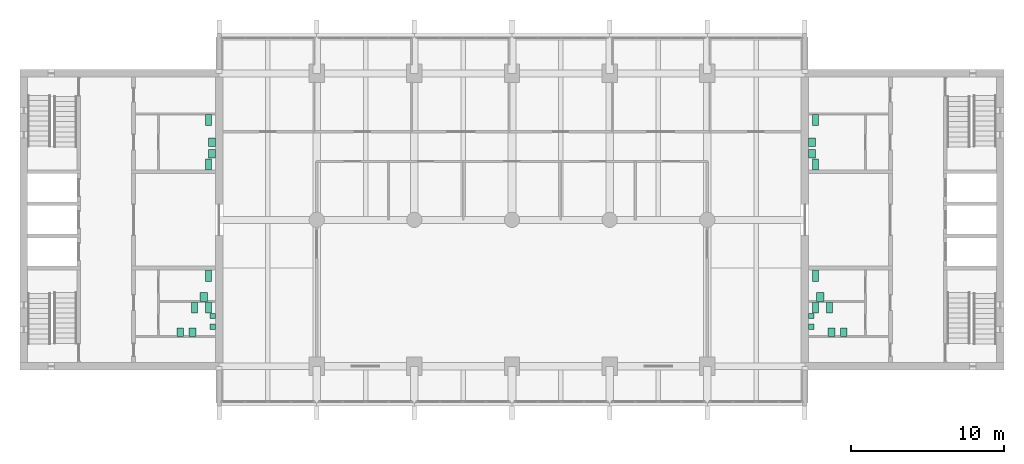
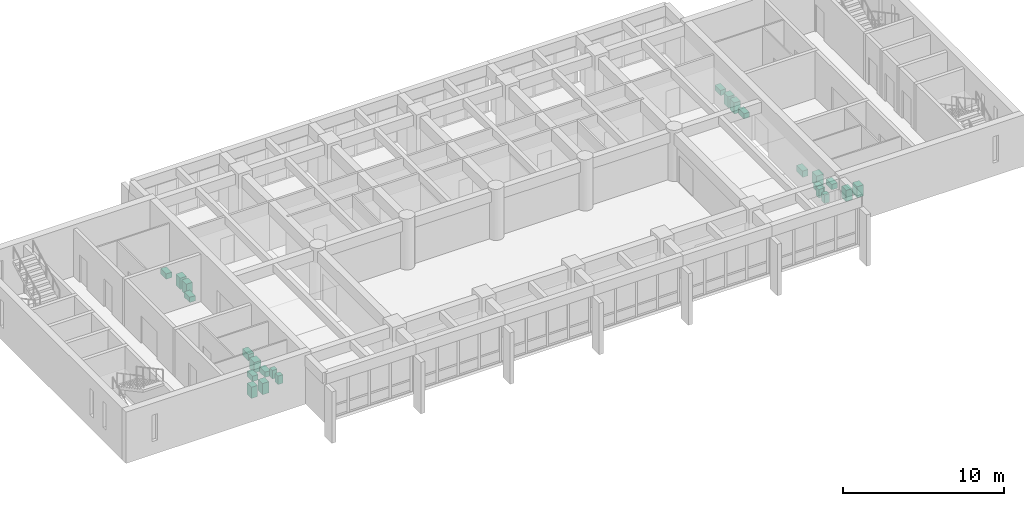
# One storey, part 15 of 15: 24 sanitary terminals.
"""IFC4 building model written with IfcOpenShell, lengths in metres."""

from ifc_helpers import new_model, si_unit, direction, frame, origin, origin_2d, place, context, subcontext, project, spatial, rectangle, extrude, material, type_object, element, save


model = new_model("IFC4")

# Units and contexts
model_context = context("Model", 3, precision=1e-05, world=origin(), true_north=direction((0.0, 1.0)))
body_context = subcontext(model_context, "Body", "Model", "MODEL_VIEW")
ifc_project = project(units=[si_unit("LENGTHUNIT", "METRE"), si_unit("AREAUNIT", "SQUARE_METRE"), si_unit("VOLUMEUNIT", "CUBIC_METRE"), si_unit("PLANEANGLEUNIT", "RADIAN"), si_unit("MASSUNIT", "GRAM", prefix="KILO")], contexts=[model_context])

# Site, building, storey
site_placement = place(None, origin())
site = spatial("IfcSite", under=ifc_project, at=site_placement, CompositionType="ELEMENT")
building_placement = place(site_placement, origin())
building = spatial("IfcBuilding", under=site, at=building_placement, Name="Fogon Plaza Fire Station and Headquarters Tower", CompositionType="ELEMENT")
storey_placement = place(building_placement, frame((0.0, 0.0, 32.699951171875)))
storey = spatial("IfcBuildingStorey", under=building, at=storey_placement, Name="L08", CompositionType="ELEMENT", Elevation=32.699951171875)

# Sanitary terminals
ifc_material_1 = material(Name="Vitreous china")
sanitary_terminal_type_1 = type_object("IfcSanitaryTerminalType", Name="Accessible Hand Basin 600x500", PredefinedType="WASHHANDBASIN", material=ifc_material_1)
for number, where, z_axis, x_axis, name in (
    (1, (24.60009765625, 38.14990234375, 0.0), (0.0, 0.0, 1.0), (1.0, 0.0, 0.0), "Accessible Hand Basin"),
    (2, (65.0, 38.14990234375, 0.0), (0.0, 0.0, 1.0), (1.0, 0.0, 0.0), "Accessible Hand Basin"),
):
    element("IfcSanitaryTerminal", number, at=place(storey_placement, frame(where, z_axis=z_axis, x_axis=x_axis)), inside=storey, type_object=sanitary_terminal_type_1, Name=name, PredefinedType="WASHHANDBASIN", context=body_context, shape_type="SweptSolid", body=[
        extrude(rectangle(XDim=0.5, YDim=0.60009765625, at=origin_2d()), origin(), (0.0, 0.0, 1.0), 0.800048828125),
    ])
ifc_material_2 = material(Name="Vitreous china")
sanitary_terminal_type_2 = type_object("IfcSanitaryTerminalType", Name="Accessible WC Pan 400x750", PredefinedType="TOILETPAN", material=ifc_material_2)
for number, where, z_axis, x_axis, name in (
    (3, (24.89990234375, 39.550048828125, 0.0), (0.0, 0.0, 1.0), (1.0, 0.0, 0.0), "Accessible WC Pan"),
    (4, (64.699951171875, 39.550048828125, 0.0), (0.0, 0.0, 1.0), (1.0, 0.0, 0.0), "Accessible WC Pan"),
):
    element("IfcSanitaryTerminal", number, at=place(storey_placement, frame(where, z_axis=z_axis, x_axis=x_axis)), inside=storey, type_object=sanitary_terminal_type_2, Name=name, PredefinedType="TOILETPAN", context=body_context, shape_type="SweptSolid", body=[
        extrude(rectangle(XDim=0.39990234375, YDim=0.75, at=origin_2d()), origin(), (0.0, 0.0, 1.0), 0.47998046875),
    ])
ifc_material_3 = material(Name="Vitreous china")
sanitary_terminal_type_3 = type_object("IfcSanitaryTerminalType", Name="Hand Basin 550x450", PredefinedType="WASHHANDBASIN", material=ifc_material_3)
for number, where, z_axis, x_axis, name in (
    (5, (23.85009765625, 35.824951171875, 0.0), (0.0, 0.0, 1.0), (1.0, 0.0, 0.0), "Hand Basin"),
    (6, (23.050048828125, 35.824951171875, 0.0), (0.0, 0.0, 1.0), (1.0, 0.0, 0.0), "Hand Basin"),
    (7, (25.125, 47.52490234375, 0.0), (0.0, 0.0, 1.0), (1.0, 0.0, 0.0), "Hand Basin"),
    (8, (25.125, 48.27490234375, 0.0), (0.0, 0.0, 1.0), (1.0, 0.0, 0.0), "Hand Basin"),
    (9, (65.75, 35.824951171875, 0.0), (0.0, 0.0, 1.0), (1.0, 0.0, 0.0), "Hand Basin"),
    (10, (66.550048828125, 35.824951171875, 0.0), (0.0, 0.0, 1.0), (1.0, 0.0, 0.0), "Hand Basin"),
    (11, (64.47509765625, 47.52490234375, 0.0), (0.0, 0.0, 1.0), (1.0, 0.0, 0.0), "Hand Basin"),
    (12, (64.47509765625, 48.27490234375, 0.0), (0.0, 0.0, 1.0), (1.0, 0.0, 0.0), "Hand Basin"),
):
    element("IfcSanitaryTerminal", number, at=place(storey_placement, frame(where, z_axis=z_axis, x_axis=x_axis)), inside=storey, type_object=sanitary_terminal_type_3, Name=name, PredefinedType="WASHHANDBASIN", context=body_context, shape_type="SweptSolid", body=[
        extrude(rectangle(XDim=0.449951171875, YDim=0.550048828125, at=origin_2d()), origin(), (0.0, 0.0, 1.0), 0.85009765625),
    ])
ifc_material_4 = material(Name="Vitreous china")
sanitary_terminal_type_4 = type_object("IfcSanitaryTerminalType", Name="Urinal 350x350", PredefinedType="URINAL", material=ifc_material_4)
for number, where, z_axis, x_axis, name in (
    (13, (25.175048828125, 36.199951171875, 0.0), (0.0, 0.0, 1.0), (1.0, 0.0, 0.0), "Urinal"),
    (14, (25.175048828125, 36.89990234375, 0.0), (0.0, 0.0, 1.0), (1.0, 0.0, 0.0), "Urinal"),
    (15, (64.425048828125, 36.199951171875, 0.0), (0.0, 0.0, 1.0), (1.0, 0.0, 0.0), "Urinal"),
    (16, (64.425048828125, 36.89990234375, 0.0), (0.0, 0.0, 1.0), (1.0, 0.0, 0.0), "Urinal"),
):
    element("IfcSanitaryTerminal", number, at=place(storey_placement, frame(where, z_axis=z_axis, x_axis=x_axis)), inside=storey, type_object=sanitary_terminal_type_4, Name=name, PredefinedType="URINAL", context=body_context, shape_type="SweptSolid", body=[
        extrude(rectangle(XDim=0.35009765625, YDim=0.35009765625, at=origin_2d()), origin(), (0.0, 0.0, 1.0), 0.64990234375),
    ])
ifc_material_5 = material(Name="Vitreous china")
sanitary_terminal_type_5 = type_object("IfcSanitaryTerminalType", Name="WC Pan 400x700", PredefinedType="TOILETPAN", material=ifc_material_5)
for number, where, z_axis, x_axis, name in (
    (17, (24.89990234375, 37.449951171875, 0.0), (0.0, 0.0, 1.0), (1.0, 0.0, 0.0), "WC Pan"),
    (18, (24.0, 37.449951171875, 0.0), (0.0, 0.0, 1.0), (1.0, 0.0, 0.0), "WC Pan"),
    (19, (24.89990234375, 49.75, 0.0), (0.0, 0.0, 1.0), (1.0, 0.0, 0.0), "WC Pan"),
    (20, (24.89990234375, 46.824951171875, 0.0), (0.0, 0.0, 1.0), (1.0, 0.0, 0.0), "WC Pan"),
    (21, (64.699951171875, 37.449951171875, 0.0), (0.0, 0.0, 1.0), (1.0, 0.0, 0.0), "WC Pan"),
    (22, (65.60009765625, 37.449951171875, 0.0), (0.0, 0.0, 1.0), (1.0, 0.0, 0.0), "WC Pan"),
    (23, (64.699951171875, 49.75, 0.0), (0.0, 0.0, 1.0), (1.0, 0.0, 0.0), "WC Pan"),
    (24, (64.699951171875, 46.824951171875, 0.0), (0.0, 0.0, 1.0), (1.0, 0.0, 0.0), "WC Pan"),
):
    element("IfcSanitaryTerminal", number, at=place(storey_placement, frame(where, z_axis=z_axis, x_axis=x_axis)), inside=storey, type_object=sanitary_terminal_type_5, Name=name, PredefinedType="TOILETPAN", context=body_context, shape_type="SweptSolid", body=[
        extrude(rectangle(XDim=0.39990234375, YDim=0.699951171875, at=origin_2d()), origin(), (0.0, 0.0, 1.0), 0.39990234375),
    ])

save(model, "model.ifc")
